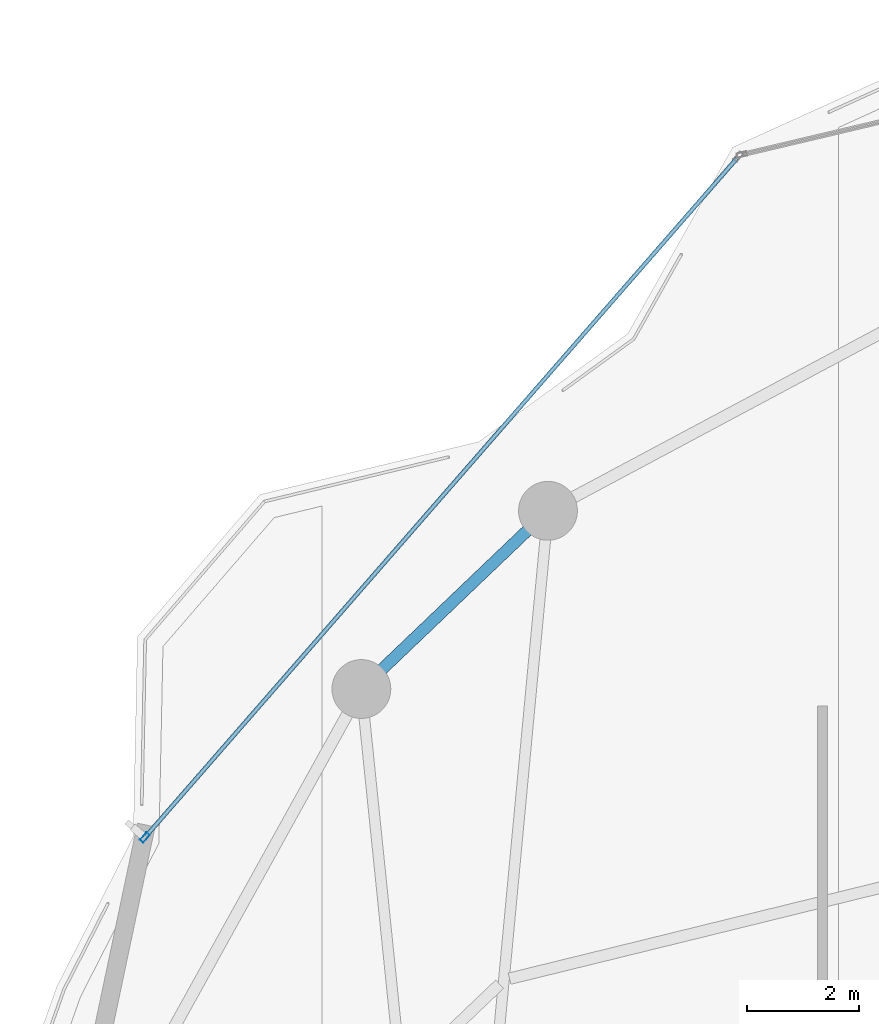
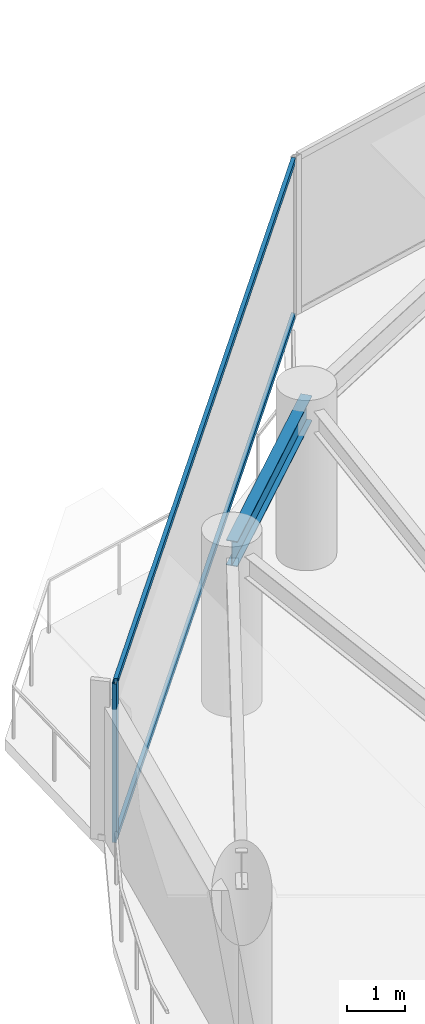
# One storey, part 16 of 28: 3 members, 1 beam, 1 element without a shape of its own.
"""IFC4 building model written with IfcOpenShell, lengths in metres."""

from ifc_helpers import new_model, si_unit, direction, frame, origin, origin_2d, place, context, subcontext, project, spatial, hollow_rectangle, i_section, extrude, material, layer, layer_set, material_profile, profile_set, type_object, element, aggregate, save


model = new_model("IFC4")

# Units and contexts
model_context = context("Model", 3, precision=1e-05, world=origin(), true_north=direction((0.0, 1.0)))
body_context = subcontext(model_context, "Body", "Model", "MODEL_VIEW")
ifc_project = project(units=[si_unit("LENGTHUNIT", "METRE"), si_unit("AREAUNIT", "SQUARE_METRE"), si_unit("VOLUMEUNIT", "CUBIC_METRE"), si_unit("PLANEANGLEUNIT", "RADIAN"), si_unit("MASSUNIT", "GRAM", prefix="KILO")], contexts=[model_context])

# Site, building, storey
site_placement = place(None, origin())
site = spatial("IfcSite", under=ifc_project, at=site_placement, CompositionType="ELEMENT")
building_placement = place(site_placement, origin())
building = spatial("IfcBuilding", under=site, at=building_placement, Name="Kazevale Care Tower and Concert Hall", CompositionType="ELEMENT")
storey_placement = place(building_placement, frame((0.0, 0.0, 231.60009765625)))
storey = spatial("IfcBuildingStorey", under=building, at=storey_placement, Name="L61", CompositionType="ELEMENT", Elevation=231.60009765625)

# Curtain wall, members
ifc_material_1 = material(Name="Aluminium 6063-T6 and Low-E Glass", Category="aluminium")
ifc_layer = layer(ifc_material_1, 0.179931640625)
ifc_layer_set = layer_set([ifc_layer], Name="Aluminium 6063-T6 and Low-E Glass")
curtain_wall_type = type_object("IfcCurtainWallType", Name="Convex Checkerboard Finned Curtain Wall CW-2", PredefinedType="NOTDEFINED", material=ifc_layer_set)
curtain_wall_placement = place(storey_placement, origin())
curtain_wall = element("IfcCurtainWall", 1, at=curtain_wall_placement, inside=storey, type_object=curtain_wall_type, Name="cw:L61:f14", PredefinedType="NOTDEFINED")
ifc_material_2 = material(Name="Aluminium 6063-T6", Category="aluminium")
ifc_material_profile_1 = material_profile(ifc_material_2, hollow_rectangle(XDim=0.080078125, YDim=0.179931640625, WallThickness=0.0048828125, at=origin_2d()), Name="ALU80x180x5")
ifc_profile_set_1 = profile_set([ifc_material_profile_1], Name="Aluminium 6063-T6")
member_type_1 = type_object("IfcMemberType", Name="CW-2 Mullion ALU80x180x5", PredefinedType="MULLION", material=ifc_profile_set_1)
member_1_placement = place(storey_placement, frame((16.55419921875, 49.17919921875, 0.0), z_axis=(0.0, 0.0, 1.0), x_axis=(-0.753738225685, 0.657174776708, 0.0)))
member_1 = element("IfcMember", 2, at=member_1_placement, type_object=member_type_1, Name="CW-2 mullion 1", PredefinedType="MULLION", context=body_context, shape_type="SweptSolid", body=[
    extrude(hollow_rectangle(XDim=0.080078125, YDim=0.179931640625, WallThickness=0.0048828125, at=origin_2d()), origin(), (0.0, 0.0, 1.0), 3.35986328125),
])
ifc_material_profile_2 = material_profile(ifc_material_2, hollow_rectangle(XDim=0.074951171875, YDim=0.1201171875, WallThickness=0.00390625, at=origin_2d()), Name="ALU75x120x4")
ifc_profile_set_2 = profile_set([ifc_material_profile_2], Name="Aluminium 6063-T6")
member_type_2 = type_object("IfcMemberType", Name="CW-2 Transom ALU75x120x4", PredefinedType="USERDEFINED", material=ifc_profile_set_2)
member_2_placement = place(storey_placement, frame((16.58056640625, 49.209228515625, 0.037353515625), z_axis=(0.657173569472, 0.753739278257, 0.0), x_axis=(-0.753739278257, 0.657173569472, 0.0)))
member_2 = element("IfcMember", 3, at=member_2_placement, type_object=member_type_2, Name="CW-2 transom 1.1", ObjectType="TRANSOM", PredefinedType="USERDEFINED", context=body_context, shape_type="SweptSolid", body=[
    extrude(hollow_rectangle(XDim=0.074951171875, YDim=0.1201171875, WallThickness=0.00390625, at=origin_2d()), origin(), (0.0, 0.0, 1.0), 16.03662109375),
])
member_3_placement = place(storey_placement, frame((16.58056640625, 49.209228515625, 3.322509765625), z_axis=(0.657173569472, 0.753739278257, 0.0), x_axis=(-0.753739278257, 0.657173569472, 0.0)))
member_3 = element("IfcMember", 4, at=member_3_placement, type_object=member_type_2, Name="CW-2 transom 1.2", ObjectType="TRANSOM", PredefinedType="USERDEFINED", context=body_context, shape_type="SweptSolid", body=[
    extrude(hollow_rectangle(XDim=0.074951171875, YDim=0.1201171875, WallThickness=0.00390625, at=origin_2d()), origin(), (0.0, 0.0, 1.0), 16.03662109375),
])
aggregate(curtain_wall, [member_1, member_2, member_3])

# Beam
ifc_material_3 = material(Name="Steel ASTM A572 Gr 50", Category="steel")
ifc_material_profile_3 = material_profile(ifc_material_3, i_section(OverallWidth=0.208984375, OverallDepth=0.532958984375, WebThickness=0.01025390625, FlangeThickness=0.015625, at=origin_2d()), Name="W530x92")
ifc_profile_set_3 = profile_set([ifc_material_profile_3], Name="Steel ASTM A572 Gr 50")
beam_type = type_object("IfcBeamType", Name="Upper Ring Beam W530x92", PredefinedType="BEAM", material=ifc_profile_set_3)
beam_placement = place(storey_placement, frame((23.75, 55.010009765625, 3.093505859375), z_axis=(-0.723223118589, -0.690614451585, 0.0), x_axis=(0.690614451585, -0.723223118589, 0.0)))
element("IfcBeam", 5, at=beam_placement, inside=storey, type_object=beam_type, Name="beam:L61:ring:07", PredefinedType="BEAM", context=body_context, shape_type="SweptSolid", body=[
    extrude(i_section(OverallWidth=0.208984375, OverallDepth=0.532958984375, WebThickness=0.01025390625, FlangeThickness=0.015625, at=origin_2d()), origin(), (0.0, 0.0, 1.0), 4.6044921875),
])

save(model, "model.ifc")
